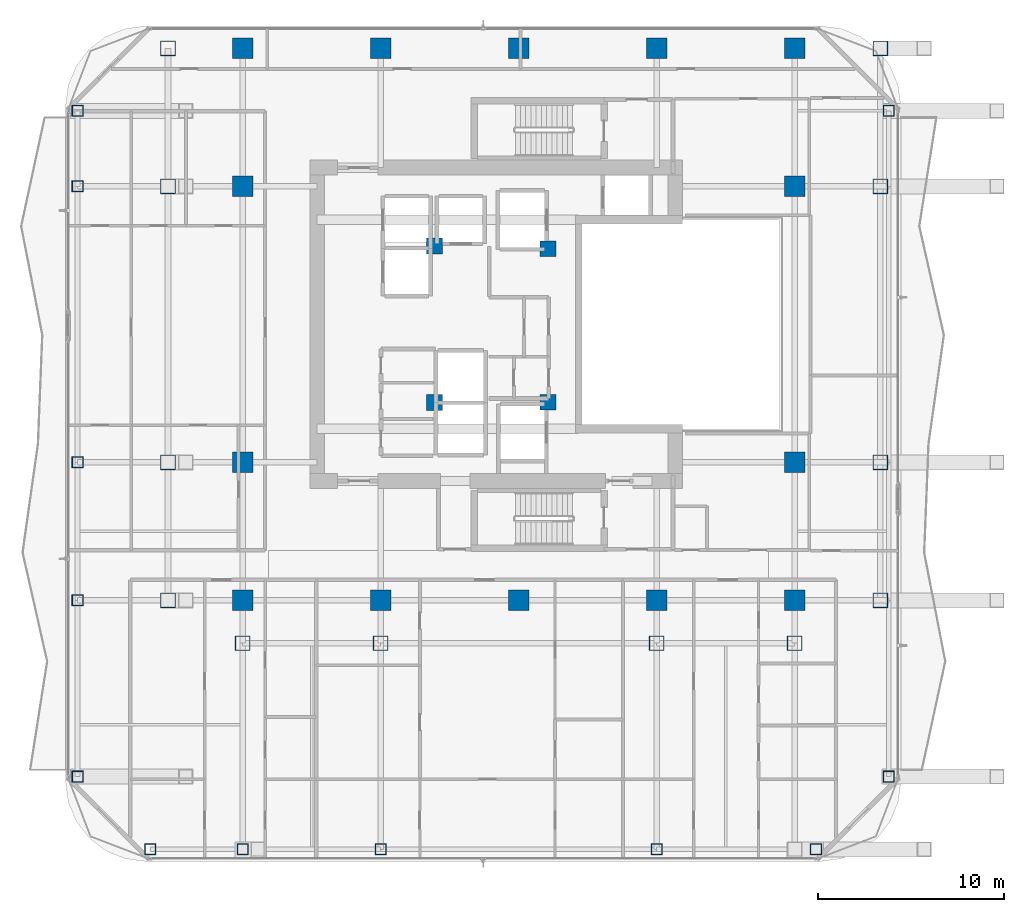
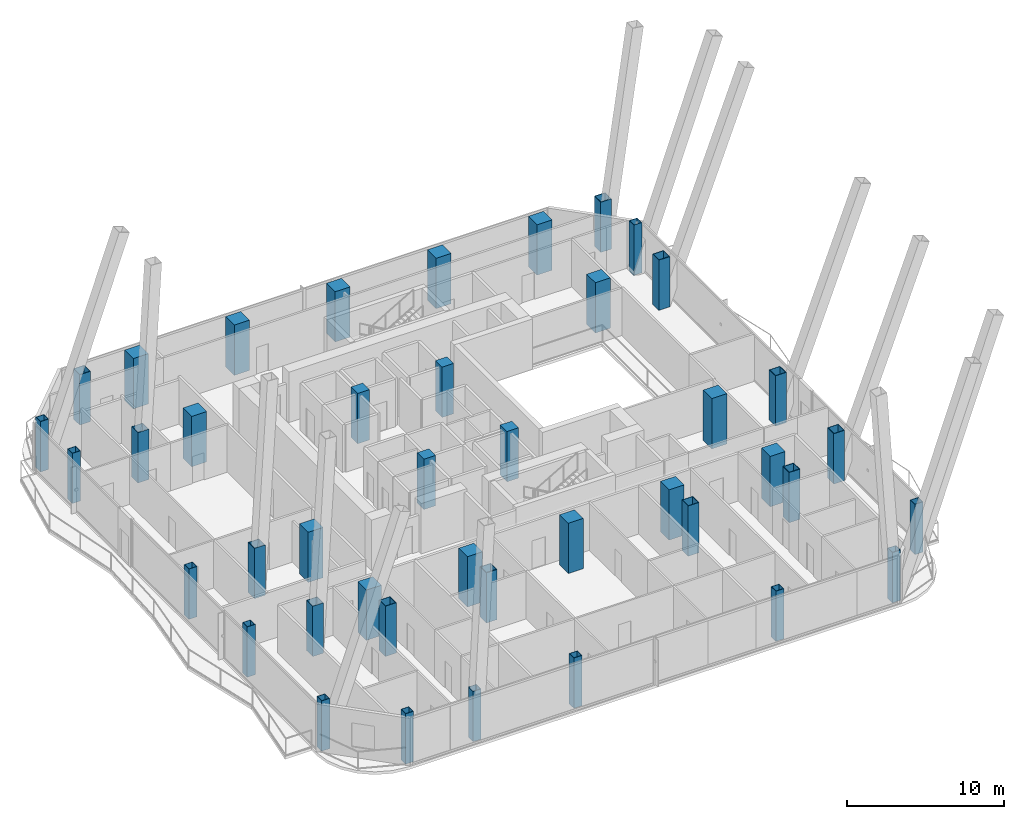
# One storey, part 1 of 27: 42 columns.
"""IFC4 building model written with IfcOpenShell, lengths in metres."""

from ifc_helpers import new_model, si_unit, direction, frame, origin, origin_2d, place, context, subcontext, project, spatial, rectangle, hollow_rectangle, extrude, material, material_profile, profile_set, type_object, element, save


model = new_model("IFC4")

# Units and contexts
model_context = context("Model", 3, precision=1e-05, world=origin(), true_north=direction((0.0, 1.0)))
body_context = subcontext(model_context, "Body", "Model", "MODEL_VIEW")
ifc_project = project(units=[si_unit("LENGTHUNIT", "METRE"), si_unit("AREAUNIT", "SQUARE_METRE"), si_unit("VOLUMEUNIT", "CUBIC_METRE"), si_unit("PLANEANGLEUNIT", "RADIAN"), si_unit("MASSUNIT", "GRAM", prefix="KILO")], contexts=[model_context])

# Site, building, storey
site_placement = place(None, origin())
site = spatial("IfcSite", under=ifc_project, at=site_placement, CompositionType="ELEMENT")
building_placement = place(site_placement, origin())
building = spatial("IfcBuilding", under=site, at=building_placement, Name="Khorvyn Point Tower", CompositionType="ELEMENT")
storey_placement = place(building_placement, frame((0.0, 0.0, 203.10009765625)))
storey = spatial("IfcBuildingStorey", under=building, at=storey_placement, Name="L50", CompositionType="ELEMENT", Elevation=203.10009765625)

# Columns
ifc_material_1 = material(Name="Concrete C40/50", Category="concrete")
ifc_material_profile_1 = material_profile(ifc_material_1, rectangle(XDim=0.85009765625, YDim=0.85009765625, at=origin_2d()))
ifc_profile_set_1 = profile_set([ifc_material_profile_1], Name="Concrete C40/50 RC850x850")
column_type_1 = type_object("IfcColumnType", Name="Concrete C40/50 Column RC850x850", PredefinedType="COLUMN", material=ifc_profile_set_1)
for number, where, z_axis, x_axis, name in (
    (1, (-4.52001953125, -4.199951171875, 0.0), (0.0, 0.0, 1.0), (1.0, 0.0, 0.0), "L50 Crown Core Spine Column 1"),
    (2, (1.580078125, -4.179931640625, 0.0), (0.0, 0.0, 1.0), (1.0, 0.0, 0.0), "L50 Crown Core Spine Column 2"),
    (3, (1.580078125, 4.050048828125, 0.0), (0.0, 0.0, 1.0), (1.0, 0.0, 0.0), "L50 Crown Core Spine Column 3"),
    (4, (-4.52001953125, 4.199951171875, 0.0), (0.0, 0.0, 1.0), (1.0, 0.0, 0.0), "L50 Crown Core Spine Column 4"),
):
    element("IfcColumn", number, at=place(storey_placement, frame(where, z_axis=z_axis, x_axis=x_axis)), inside=storey, type_object=column_type_1, Name=name, PredefinedType="COLUMN", context=body_context, shape_type="SweptSolid", body=[
        extrude(rectangle(XDim=0.85009765625, YDim=0.85009765625, at=origin_2d()), origin(), (0.0, 0.0, 1.0), 3.89990234375),
    ])
ifc_material_2 = material(Name="Concrete C45/55", Category="concrete")
ifc_material_profile_2 = material_profile(ifc_material_2, rectangle(XDim=1.10009765625, YDim=1.10009765625, at=origin_2d()))
ifc_profile_set_2 = profile_set([ifc_material_profile_2], Name="Concrete C45/55 RC1100x1100")
column_type_2 = type_object("IfcColumnType", Name="Concrete C45/55 Column RC1100x1100", PredefinedType="COLUMN", material=ifc_profile_set_2)
for number, where, z_axis, x_axis, name in (
    (5, (-14.800048828125, -14.800048828125, 0.0), (0.0, 0.0, 1.0), (1.0, 0.0, 0.0), "L50 Mega-Column MC-01"),
    (6, (-7.39990234375, -14.800048828125, 0.0), (0.0, 0.0, 1.0), (1.0, 0.0, 0.0), "L50 Mega-Column MC-02"),
    (7, (0.0, -14.800048828125, 0.0), (0.0, 0.0, 1.0), (1.0, 0.0, 0.0), "L50 Mega-Column MC-03"),
    (8, (7.39990234375, -14.800048828125, 0.0), (0.0, 0.0, 1.0), (1.0, 0.0, 0.0), "L50 Mega-Column MC-04"),
    (9, (14.800048828125, -14.800048828125, 0.0), (0.0, 0.0, 1.0), (1.0, 0.0, 0.0), "L50 Mega-Column MC-05"),
    (10, (-14.800048828125, 14.800048828125, 0.0), (0.0, 0.0, 1.0), (1.0, 0.0, 0.0), "L50 Mega-Column MC-06"),
    (11, (-7.39990234375, 14.800048828125, 0.0), (0.0, 0.0, 1.0), (1.0, 0.0, 0.0), "L50 Mega-Column MC-07"),
    (12, (0.0, 14.800048828125, 0.0), (0.0, 0.0, 1.0), (1.0, 0.0, 0.0), "L50 Mega-Column MC-08"),
    (13, (7.39990234375, 14.800048828125, 0.0), (0.0, 0.0, 1.0), (1.0, 0.0, 0.0), "L50 Mega-Column MC-09"),
    (14, (14.800048828125, 14.800048828125, 0.0), (0.0, 0.0, 1.0), (1.0, 0.0, 0.0), "L50 Mega-Column MC-10"),
    (15, (-14.800048828125, -7.39990234375, 0.0), (0.0, 0.0, 1.0), (1.0, 0.0, 0.0), "L50 Mega-Column MC-11"),
    (16, (-14.800048828125, 7.39990234375, 0.0), (0.0, 0.0, 1.0), (1.0, 0.0, 0.0), "L50 Mega-Column MC-12"),
    (17, (14.800048828125, -7.39990234375, 0.0), (0.0, 0.0, 1.0), (1.0, 0.0, 0.0), "L50 Mega-Column MC-13"),
    (18, (14.800048828125, 7.39990234375, 0.0), (0.0, 0.0, 1.0), (1.0, 0.0, 0.0), "L50 Mega-Column MC-14"),
):
    element("IfcColumn", number, at=place(storey_placement, frame(where, z_axis=z_axis, x_axis=x_axis)), inside=storey, type_object=column_type_2, Name=name, PredefinedType="COLUMN", context=body_context, shape_type="SweptSolid", body=[
        extrude(rectangle(XDim=1.10009765625, YDim=1.10009765625, at=origin_2d()), origin(), (0.0, 0.0, 1.0), 3.89990234375),
    ])
ifc_material_3 = material(Name="Steel S450", Category="steel")
ifc_material_profile_3 = material_profile(ifc_material_3, hollow_rectangle(XDim=0.60009765625, YDim=0.60009765625, WallThickness=0.028076171875, at=origin_2d()))
ifc_profile_set_3 = profile_set([ifc_material_profile_3], Name="Steel S450 BOX600x600x28")
column_type_3 = type_object("IfcColumnType", Name="Steel S450 Structural Column BOX600x600x28", PredefinedType="COLUMN", material=ifc_profile_set_3)
for number, where, z_axis, x_axis, name in (
    (19, (-19.75, -28.14990234375, 0.0), (0.0, 0.0, 1.0), (1.0, 0.0, 0.0), "L50 Perimeter Tube Column TC-01"),
    (20, (15.949951171875, -28.14990234375, 0.0), (0.0, 0.0, 1.0), (1.0, 0.0, 0.0), "L50 Perimeter Tube Column TC-02"),
    (21, (-23.64990234375, -24.25, 0.0), (0.0, 0.0, 1.0), (1.0, 0.0, 0.0), "L50 Perimeter Tube Column TC-03"),
    (22, (-23.64990234375, 11.449951171875, 0.0), (0.0, 0.0, 1.0), (1.0, 0.0, 0.0), "L50 Perimeter Tube Column TC-04"),
    (23, (19.85009765625, -24.25, 0.0), (0.0, 0.0, 1.0), (1.0, 0.0, 0.0), "L50 Perimeter Tube Column TC-05"),
    (24, (19.85009765625, 11.449951171875, 0.0), (0.0, 0.0, 1.0), (1.0, 0.0, 0.0), "L50 Perimeter Tube Column TC-06"),
    (25, (-14.800048828125, -28.14990234375, 0.0), (0.0, 0.0, 1.0), (1.0, 0.0, 0.0), "L50 Perimeter Tube Column TC-07"),
    (26, (-7.39990234375, -28.14990234375, 0.0), (0.0, 0.0, 1.0), (1.0, 0.0, 0.0), "L50 Perimeter Tube Column TC-08"),
    (27, (7.39990234375, -28.14990234375, 0.0), (0.0, 0.0, 1.0), (1.0, 0.0, 0.0), "L50 Perimeter Tube Column TC-09"),
    (28, (-23.64990234375, -14.800048828125, 0.0), (0.0, 0.0, 1.0), (1.0, 0.0, 0.0), "L50 Perimeter Tube Column TC-10"),
    (29, (-23.64990234375, -7.39990234375, 0.0), (0.0, 0.0, 1.0), (1.0, 0.0, 0.0), "L50 Perimeter Tube Column TC-11"),
    (30, (-23.64990234375, 7.39990234375, 0.0), (0.0, 0.0, 1.0), (1.0, 0.0, 0.0), "L50 Perimeter Tube Column TC-12"),
):
    element("IfcColumn", number, at=place(storey_placement, frame(where, z_axis=z_axis, x_axis=x_axis)), inside=storey, type_object=column_type_3, Name=name, PredefinedType="COLUMN", context=body_context, shape_type="SweptSolid", body=[
        extrude(hollow_rectangle(XDim=0.60009765625, YDim=0.60009765625, WallThickness=0.028076171875, at=origin_2d()), origin(), (0.0, 0.0, 1.0), 3.89990234375),
    ])
ifc_material_profile_4 = material_profile(ifc_material_3, hollow_rectangle(XDim=0.800048828125, YDim=0.800048828125, WallThickness=0.035888671875, at=origin_2d()))
ifc_profile_set_4 = profile_set([ifc_material_profile_4], Name="Steel S450 BOX800x800x36")
column_type_4 = type_object("IfcColumnType", Name="Steel S450 Structural Column BOX800x800x36", PredefinedType="COLUMN", material=ifc_profile_set_4)
for number, where, z_axis, x_axis, name in (
    (31, (-18.800048828125, -14.800048828125, 0.0), (0.0, 0.0, 1.0), (1.0, 0.0, 0.0), "L50 Intermediate Column ICW--14"),
    (32, (-18.800048828125, -7.39990234375, 0.0), (0.0, 0.0, 1.0), (1.0, 0.0, 0.0), "L50 Intermediate Column ICW--7"),
    (33, (-18.800048828125, 7.39990234375, 0.0), (0.0, 0.0, 1.0), (1.0, 0.0, 0.0), "L50 Intermediate Column ICW-7"),
    (34, (-18.800048828125, 14.800048828125, 0.0), (0.0, 0.0, 1.0), (1.0, 0.0, 0.0), "L50 Intermediate Column ICW-14"),
    (35, (19.39990234375, -14.800048828125, 0.0), (0.0, 0.0, 1.0), (1.0, 0.0, 0.0), "L50 Intermediate Column ICE--14"),
    (36, (19.39990234375, -7.39990234375, 0.0), (0.0, 0.0, 1.0), (1.0, 0.0, 0.0), "L50 Intermediate Column ICE--7"),
    (37, (19.39990234375, 7.39990234375, 0.0), (0.0, 0.0, 1.0), (1.0, 0.0, 0.0), "L50 Intermediate Column ICE-7"),
    (38, (19.39990234375, 14.800048828125, 0.0), (0.0, 0.0, 1.0), (1.0, 0.0, 0.0), "L50 Intermediate Column ICE-14"),
    (39, (-14.800048828125, -17.10009765625, 0.0), (0.0, 0.0, 1.0), (1.0, 0.0, 0.0), "L50 Intermediate Column ICS--14"),
    (40, (-7.39990234375, -17.10009765625, 0.0), (0.0, 0.0, 1.0), (1.0, 0.0, 0.0), "L50 Intermediate Column ICS--7"),
    (41, (7.39990234375, -17.10009765625, 0.0), (0.0, 0.0, 1.0), (1.0, 0.0, 0.0), "L50 Intermediate Column ICS-7"),
    (42, (14.800048828125, -17.10009765625, 0.0), (0.0, 0.0, 1.0), (1.0, 0.0, 0.0), "L50 Intermediate Column ICS-14"),
):
    element("IfcColumn", number, at=place(storey_placement, frame(where, z_axis=z_axis, x_axis=x_axis)), inside=storey, type_object=column_type_4, Name=name, PredefinedType="COLUMN", context=body_context, shape_type="SweptSolid", body=[
        extrude(hollow_rectangle(XDim=0.800048828125, YDim=0.800048828125, WallThickness=0.035888671875, at=origin_2d()), origin(), (0.0, 0.0, 1.0), 3.89990234375),
    ])

save(model, "model.ifc")
